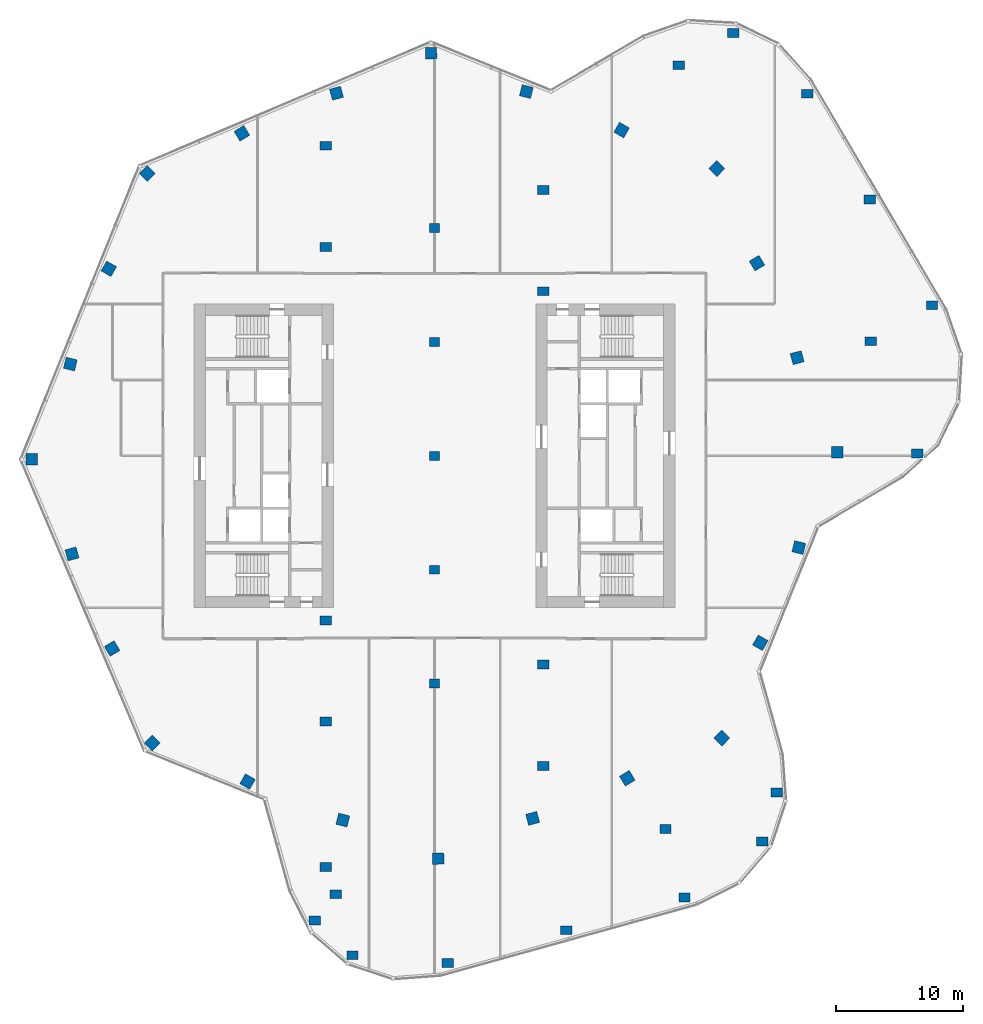
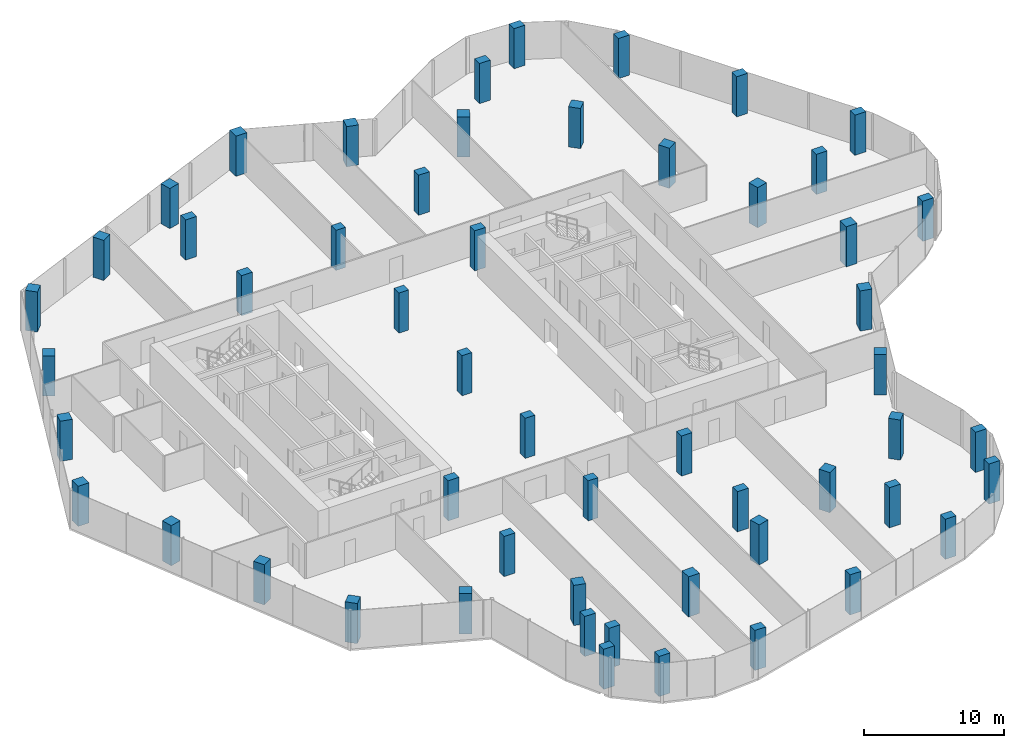
# One storey, part 1 of 16: 54 columns.
"""IFC4 building model written with IfcOpenShell, lengths in metres."""

from ifc_helpers import new_model, si_unit, direction, frame, origin, origin_2d, place, context, subcontext, project, spatial, rectangle, extrude, material, material_profile, profile_set, type_object, element, save


model = new_model("IFC4")

# Units and contexts
model_context = context("Model", 3, precision=1e-05, world=origin(), true_north=direction((0.0, 1.0)))
body_context = subcontext(model_context, "Body", "Model", "MODEL_VIEW")
ifc_project = project(units=[si_unit("LENGTHUNIT", "METRE"), si_unit("AREAUNIT", "SQUARE_METRE"), si_unit("VOLUMEUNIT", "CUBIC_METRE"), si_unit("PLANEANGLEUNIT", "RADIAN"), si_unit("MASSUNIT", "GRAM", prefix="KILO")], contexts=[model_context])

# Site, building, storey
site_placement = place(None, origin())
site = spatial("IfcSite", under=ifc_project, at=site_placement, CompositionType="ELEMENT")
building_placement = place(site_placement, origin())
building = spatial("IfcBuilding", under=site, at=building_placement, Name="Orlundy Tower", CompositionType="ELEMENT")
storey_placement = place(building_placement, frame((0.0, 0.0, 282.39990234375)))
storey = spatial("IfcBuildingStorey", under=building, at=storey_placement, Name="L75", CompositionType="ELEMENT", Elevation=282.39990234375)

# Columns
ifc_material_1 = material(Name="Concrete C50/60", Category="concrete")
ifc_material_profile_1 = material_profile(ifc_material_1, rectangle(XDim=0.800048828125, YDim=0.699951171875, at=origin_2d()), Name="RC800X700")
ifc_profile_set_1 = profile_set([ifc_material_profile_1], Name="Concrete C50/60")
column_type_1 = type_object("IfcColumnType", Name="RC COLUMN RC800X700 C50/60", PredefinedType="COLUMN", material=ifc_profile_set_1)
for number, where, z_axis, x_axis, name in (
    (1, (0.0, -18.0, 0.0), (0.0, 0.0, 1.0), (1.0, 0.0, 0.0), "Column C-M1 L75"),
    (2, (0.0, -9.0, 0.0), (0.0, 0.0, 1.0), (1.0, 0.0, 0.0), "Column C-M2 L75"),
    (3, (0.0, 0.0, 0.0), (0.0, 0.0, 1.0), (1.0, 0.0, 0.0), "Column C-M3 L75"),
    (4, (0.0, 9.0, 0.0), (0.0, 0.0, 1.0), (1.0, 0.0, 0.0), "Column C-M4 L75"),
    (5, (0.0, 18.0, 0.0), (0.0, 0.0, 1.0), (1.0, 0.0, 0.0), "Column C-M5 L75"),
):
    element("IfcColumn", number, at=place(storey_placement, frame(where, z_axis=z_axis, x_axis=x_axis)), inside=storey, type_object=column_type_1, Name=name, PredefinedType="COLUMN", context=body_context, shape_type="SweptSolid", body=[
        extrude(rectangle(XDim=0.800048828125, YDim=0.699951171875, at=origin_2d()), origin(), (0.0, 0.0, 1.0), 3.5),
    ])
ifc_material_2 = material(Name="Concrete C50/60", Category="concrete")
ifc_material_profile_2 = material_profile(ifc_material_2, rectangle(XDim=0.89990234375, YDim=0.699951171875, at=origin_2d()), Name="RC900X700")
ifc_profile_set_2 = profile_set([ifc_material_profile_2], Name="Concrete C50/60")
column_type_2 = type_object("IfcColumnType", Name="RC COLUMN RC900X700 C50/60", PredefinedType="COLUMN", material=ifc_profile_set_2)
for number, where, z_axis, x_axis, name in (
    (6, (38.1279296875, 0.195068359375, 0.0), (0.0, 0.0, 1.0), (1.0, 0.0, 0.0), "Column C-A1-1 L75"),
    (7, (39.302001953125, 11.89306640625, 0.0), (0.0, 0.0, 1.0), (1.0, 0.0, 0.0), "Column C-A2-5 L75"),
    (8, (34.47705078125, 9.051025390625, 0.0), (0.0, 0.0, 1.0), (1.0, 0.0, 0.0), "Column C-A2-6 L75"),
    (9, (34.37890625, 20.2509765625, 0.0), (0.0, 0.0, 1.0), (1.0, 0.0, 0.0), "Column C-A3-5 L75"),
    (10, (29.4560546875, 28.60888671875, 0.0), (0.0, 0.0, 1.0), (1.0, 0.0, 0.0), "Column C-A4-5 L75"),
    (11, (23.610107421875, 33.39697265625, 0.0), (0.0, 0.0, 1.0), (1.0, 0.0, 0.0), "Column C-A5-5 L75"),
    (12, (19.302001953125, 30.860107421875, 0.0), (0.0, 0.0, 1.0), (1.0, 0.0, 0.0), "Column C-A5-6 L75"),
    (13, (-9.468017578125, -36.7080078125, 0.0), (0.0, 0.0, 1.0), (1.0, 0.0, 0.0), "Column C-B1-1 L75"),
    (14, (-6.48388671875, -39.4609375, 0.0), (0.0, 0.0, 1.0), (1.0, 0.0, 0.0), "Column C-B1-5 L75"),
    (15, (-7.820068359375, -34.64306640625, 0.0), (0.0, 0.0, 1.0), (1.0, 0.0, 0.0), "Column C-B1-6 L75"),
    (16, (1.048095703125, -40.076904296875, 0.0), (0.0, 0.0, 1.0), (1.0, 0.0, 0.0), "Column C-B2-5 L75"),
    (17, (10.39599609375, -37.485107421875, 0.0), (0.0, 0.0, 1.0), (1.0, 0.0, 0.0), "Column C-B3-5 L75"),
    (18, (19.742919921875, -34.89306640625, 0.0), (0.0, 0.0, 1.0), (1.0, 0.0, 0.0), "Column C-B4-5 L75"),
    (19, (18.24609375, -29.4970703125, 0.0), (0.0, 0.0, 1.0), (1.0, 0.0, 0.0), "Column C-B4-6 L75"),
    (20, (27.02197265625, -26.589111328125, 0.0), (0.0, 0.0, 1.0), (1.0, 0.0, 0.0), "Column C-B5-1 L75"),
    (21, (25.881103515625, -30.485107421875, 0.0), (0.0, 0.0, 1.0), (1.0, 0.0, 0.0), "Column C-B5-5 L75"),
    (22, (8.60009765625, -24.5, 0.0), (0.0, 0.0, 1.0), (1.0, 0.0, 0.0), "Column C-SE2 L75"),
    (23, (8.60009765625, -16.5, 0.0), (0.0, 0.0, 1.0), (1.0, 0.0, 0.0), "Column C-SE3 L75"),
    (24, (8.60009765625, 13.0, 0.0), (0.0, 0.0, 1.0), (1.0, 0.0, 0.0), "Column C-SE4 L75"),
    (25, (8.60009765625, 21.0, 0.0), (0.0, 0.0, 1.0), (1.0, 0.0, 0.0), "Column C-SE5 L75"),
    (26, (-8.60009765625, 24.5, 0.0), (0.0, 0.0, 1.0), (1.0, 0.0, 0.0), "Column C-SW1 L75"),
    (27, (-8.60009765625, 16.5, 0.0), (0.0, 0.0, 1.0), (1.0, 0.0, 0.0), "Column C-SW2 L75"),
    (28, (-8.60009765625, -13.0, 0.0), (0.0, 0.0, 1.0), (1.0, 0.0, 0.0), "Column C-SW3 L75"),
    (29, (-8.60009765625, -21.0, 0.0), (0.0, 0.0, 1.0), (1.0, 0.0, 0.0), "Column C-SW4 L75"),
    (30, (-8.60009765625, -32.5, 0.0), (0.0, 0.0, 1.0), (1.0, 0.0, 0.0), "Column C-SW5 L75"),
):
    element("IfcColumn", number, at=place(storey_placement, frame(where, z_axis=z_axis, x_axis=x_axis)), inside=storey, type_object=column_type_2, Name=name, PredefinedType="COLUMN", context=body_context, shape_type="SweptSolid", body=[
        extrude(rectangle(XDim=0.89990234375, YDim=0.699951171875, at=origin_2d()), origin(), (0.0, 0.0, 1.0), 3.5),
    ])
ifc_material_3 = material(Name="Concrete C50/60", Category="concrete")
ifc_material_profile_3 = material_profile(ifc_material_3, rectangle(XDim=0.89990234375, YDim=0.89990234375, at=origin_2d()), Name="RC900X900")
ifc_profile_set_3 = profile_set([ifc_material_profile_3], Name="Concrete C50/60")
column_type_3 = type_object("IfcColumnType", Name="RC COLUMN RC900X900 C50/60", PredefinedType="COLUMN", material=ifc_profile_set_3)
for number, where, z_axis, x_axis, name in (
    (31, (-0.278076171875, 31.821044921875, 0.0), (0.0, 0.0, 1.0), (-0.008743988125, 0.999961770605, 0.0), "Column C-H01 L75"),
    (32, (7.25, 28.780029296875, 0.0), (0.0, 0.0, 1.0), (0.244275126238, 0.969705967137, 0.0), "Column C-H02 L75"),
    (33, (14.777099609375, 25.739013671875, 0.0), (0.0, 0.0, 1.0), (0.49789754642, 0.867235857924, 0.0), "Column C-H03 L75"),
    (34, (22.304931640625, 22.697021484375, 0.0), (0.0, 0.0, 1.0), (0.700921712762, 0.713238215871, 0.0), "Column C-H04 L75"),
    (35, (25.47705078125, 15.22412109375, 0.0), (0.0, 0.0, 1.0), (0.858414263358, 0.512957066881, 0.0), "Column C-H05 L75"),
    (36, (28.64892578125, 7.7509765625, 0.0), (0.0, 0.0, 1.0), (0.965295087436, 0.261161624617, 0.0), "Column C-H06 L75"),
    (37, (31.821044921875, 0.278076171875, 0.0), (0.0, 0.0, 1.0), (0.999961770605, 0.008743988125, 0.0), "Column C-H07 L75"),
    (38, (28.780029296875, -7.25, 0.0), (0.0, 0.0, 1.0), (0.969705967137, -0.244275126238, 0.0), "Column C-H08 L75"),
    (39, (25.739013671875, -14.777099609375, 0.0), (0.0, 0.0, 1.0), (0.867235857924, -0.49789754642, 0.0), "Column C-H09 L75"),
    (40, (22.697021484375, -22.304931640625, 0.0), (0.0, 0.0, 1.0), (0.713238215871, -0.700921712762, 0.0), "Column C-H10 L75"),
    (41, (15.22412109375, -25.47705078125, 0.0), (0.0, 0.0, 1.0), (0.512957066881, -0.858414263358, 0.0), "Column C-H11 L75"),
    (42, (7.7509765625, -28.64892578125, 0.0), (0.0, 0.0, 1.0), (0.261161624617, -0.965295087436, 0.0), "Column C-H12 L75"),
    (43, (0.278076171875, -31.821044921875, 0.0), (0.0, 0.0, 1.0), (0.008743988125, -0.999961770605, 0.0), "Column C-H13 L75"),
    (44, (-7.25, -28.780029296875, 0.0), (0.0, 0.0, 1.0), (-0.244275126238, -0.969705967137, 0.0), "Column C-H14 L75"),
    (45, (-14.777099609375, -25.739013671875, 0.0), (0.0, 0.0, 1.0), (-0.49789754642, -0.867235857924, 0.0), "Column C-H15 L75"),
    (46, (-22.304931640625, -22.697021484375, 0.0), (0.0, 0.0, 1.0), (-0.700921712762, -0.713238215871, 0.0), "Column C-H16 L75"),
    (47, (-25.47705078125, -15.22412109375, 0.0), (0.0, 0.0, 1.0), (-0.858414263358, -0.512957066881, 0.0), "Column C-H17 L75"),
    (48, (-28.64892578125, -7.7509765625, 0.0), (0.0, 0.0, 1.0), (-0.965295087436, -0.261161624617, 0.0), "Column C-H18 L75"),
    (49, (-31.821044921875, -0.278076171875, 0.0), (0.0, 0.0, 1.0), (-0.999961770605, -0.008743988125, 0.0), "Column C-H19 L75"),
    (50, (-28.780029296875, 7.25, 0.0), (0.0, 0.0, 1.0), (-0.969705967137, 0.244275126238, 0.0), "Column C-H20 L75"),
    (51, (-25.739013671875, 14.777099609375, 0.0), (0.0, 0.0, 1.0), (-0.867235857924, 0.49789754642, 0.0), "Column C-H21 L75"),
    (52, (-22.697021484375, 22.304931640625, 0.0), (0.0, 0.0, 1.0), (-0.713238215871, 0.700921712762, 0.0), "Column C-H22 L75"),
    (53, (-15.22412109375, 25.47705078125, 0.0), (0.0, 0.0, 1.0), (-0.512957066881, 0.858414263358, 0.0), "Column C-H23 L75"),
    (54, (-7.7509765625, 28.64892578125, 0.0), (0.0, 0.0, 1.0), (-0.261161624617, 0.965295087436, 0.0), "Column C-H24 L75"),
):
    element("IfcColumn", number, at=place(storey_placement, frame(where, z_axis=z_axis, x_axis=x_axis)), inside=storey, type_object=column_type_3, Name=name, PredefinedType="COLUMN", context=body_context, shape_type="SweptSolid", body=[
        extrude(rectangle(XDim=0.89990234375, YDim=0.89990234375, at=origin_2d()), origin(), (0.0, 0.0, 1.0), 3.5),
    ])

save(model, "model.ifc")
